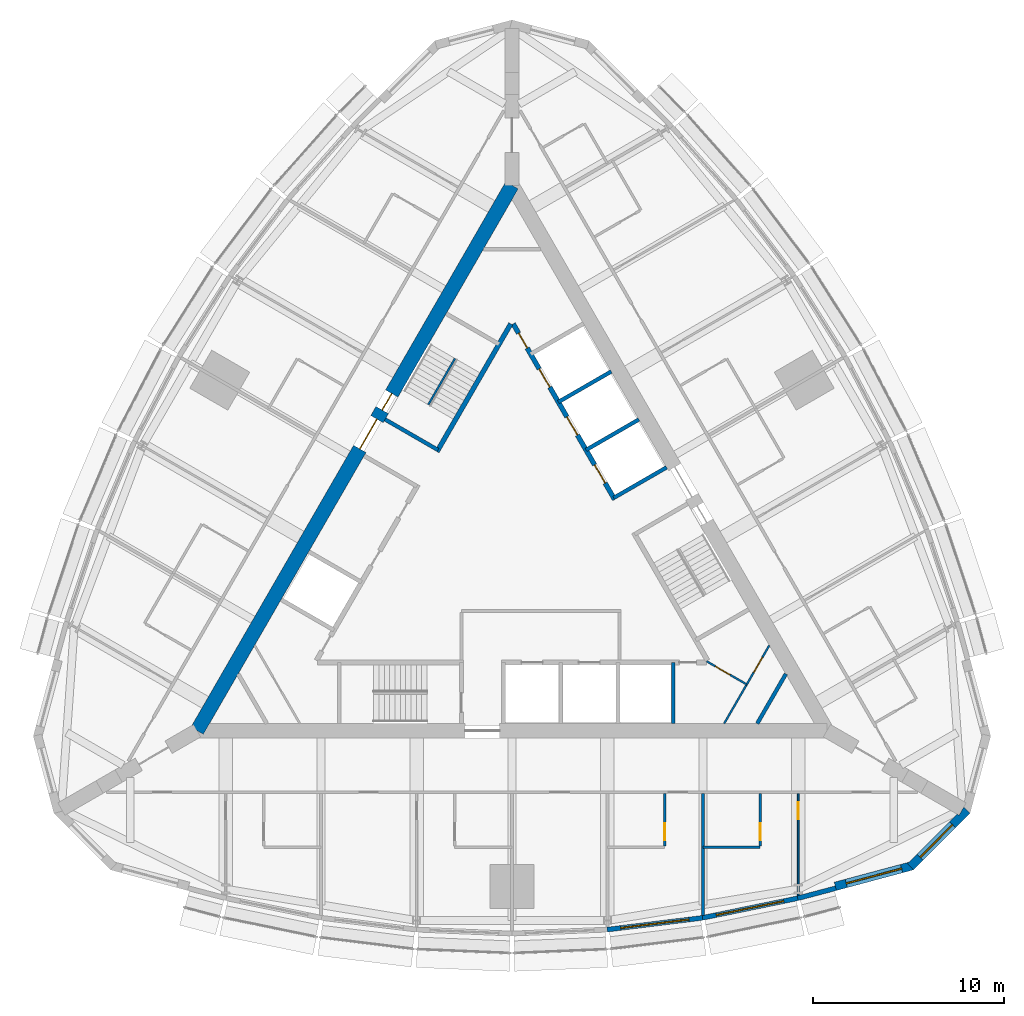
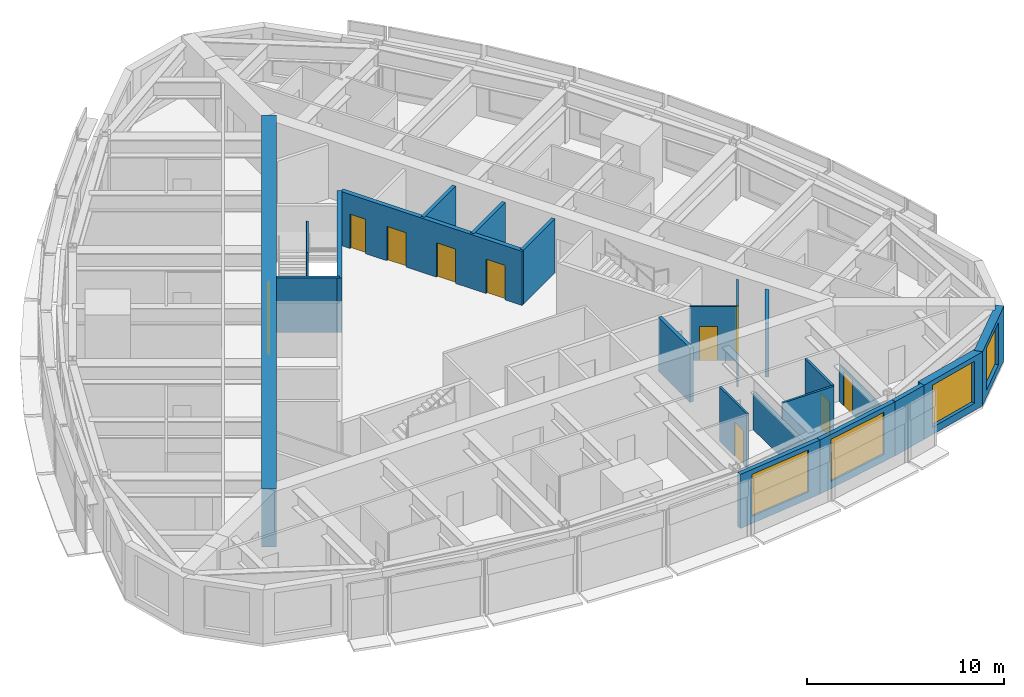
# One storey, part 11 of 15: 22 walls, 11 doors, 4 windows, 15 openings.
"""IFC4 building model written with IfcOpenShell, lengths in metres."""

from ifc_helpers import new_model, si_unit, direction, frame, frame_2d, origin, place, context, subcontext, project, spatial, polyline, rectangle, outline, extrude, material, layer, layer_set, type_object, element, fill, save


model = new_model("IFC4")

# Units and contexts
model_context = context("Model", 3, precision=1e-05, world=origin(), true_north=direction((0.0, 1.0)))
body_context = subcontext(model_context, "Body", "Model", "MODEL_VIEW")
ifc_project = project(units=[si_unit("LENGTHUNIT", "METRE"), si_unit("AREAUNIT", "SQUARE_METRE"), si_unit("VOLUMEUNIT", "CUBIC_METRE"), si_unit("PLANEANGLEUNIT", "RADIAN"), si_unit("MASSUNIT", "GRAM", prefix="KILO")], contexts=[model_context])

# Site, building, storey
site_placement = place(None, origin())
site = spatial("IfcSite", under=ifc_project, at=site_placement, CompositionType="ELEMENT")
building_placement = place(site_placement, origin())
building = spatial("IfcBuilding", under=site, at=building_placement, Name="Trikona Tower", CompositionType="ELEMENT")
storey_placement = place(building_placement, frame((0.0, 0.0, 229.699951171875)))
storey = spatial("IfcBuildingStorey", under=building, at=storey_placement, Name="L61", CompositionType="ELEMENT", Elevation=229.699951171875)

# Wall, opening, door
ifc_material_1 = material(Name="Metal stud and cement board", Category="gypsum")
ifc_layer_1 = layer(ifc_material_1, 0.1201171875)
ifc_layer_set_1 = layer_set([ifc_layer_1], Name="Bathroom wall 120")
wall_type_1 = type_object("IfcWallType", Name="Bathroom wall 120", PredefinedType="PLUMBINGWALL", material=ifc_layer_set_1)
wall_1_placement = place(storey_placement, frame((8.0, -12.826416015625, 0.0), z_axis=(0.0, 0.0, 1.0), x_axis=(0.0, -1.0, 0.0)))
wall_1 = element("IfcWall", 1, at=wall_1_placement, inside=storey, type_object=wall_type_1, Name="Bathroom wall 6103", PredefinedType="PLUMBINGWALL", context=body_context, shape_type="SweptSolid", body=[
    extrude(rectangle(XDim=2.739990234375, YDim=0.1201171875, at=frame_2d((1.3701171875, 0.0))), origin(), (0.0, 0.0, 1.0), 3.35009765625),
])
opening_1_placement = place(wall_1_placement, frame((1.550048828125, 0.0, 0.0)))
opening_1 = element("IfcOpeningElement", 2, at=opening_1_placement, cuts=wall_1, Name="Opening D2", PredefinedType="OPENING", context=body_context, shape_type="SweptSolid", body=[
    extrude(rectangle(XDim=0.89990234375, YDim=2.1298828125, at=frame_2d((0.449951171875, 1.06494140625))), frame((0.0, 0.070068359375, 0.0), z_axis=(0.0, -1.0, 0.0), x_axis=(1.0, 0.0, 0.0)), (0.0, 0.0, 1.0), 0.14013671875),
])
ifc_material_2 = material(Name="Steel door frame with solid-core timber leaf", Category="steel")
door_type_1 = type_object("IfcDoorType", Name="Bathroom door 900x2130", OperationType="SLIDING_TO_LEFT", PredefinedType="DOOR", material=ifc_material_2)
door_1_placement = place(opening_1_placement, origin())
door_1 = element("IfcDoor", 3, at=door_1_placement, inside=storey, type_object=door_type_1, Name="Bathroom door 6103", OperationType="SLIDING_TO_LEFT", OverallHeight=2.1298828125, OverallWidth=0.89990234375, PredefinedType="DOOR", context=body_context, shape_type="SweptSolid", body=[
    extrude(rectangle(XDim=0.89990234375, YDim=2.1298828125, at=frame_2d((0.449951171875, 1.06494140625))), frame((0.0, 0.02490234375, 0.0), z_axis=(0.0, -1.0, 0.0), x_axis=(1.0, 0.0, 0.0)), (0.0, 0.0, 1.0), 0.050048828125),
])
fill(opening_1, door_1)

# Wall
wall_2_placement = place(storey_placement, frame((10.0, -15.626220703125, 0.0), z_axis=(0.0, 0.0, 1.0), x_axis=(1.0, 0.0, 0.0)))
element("IfcWall", 4, at=wall_2_placement, inside=storey, type_object=wall_type_1, Name="Bathroom wall 6104.1", PredefinedType="PLUMBINGWALL", context=body_context, shape_type="SweptSolid", body=[
    extrude(rectangle(XDim=3.0, YDim=0.1201171875, at=frame_2d((1.5, 0.0))), origin(), (0.0, 0.0, 1.0), 3.35009765625),
])

# Wall, opening, door
wall_3_placement = place(storey_placement, frame((13.0, -12.826416015625, 0.0), z_axis=(0.0, 0.0, 1.0), x_axis=(0.0, -1.0, 0.0)))
wall_3 = element("IfcWall", 5, at=wall_3_placement, inside=storey, type_object=wall_type_1, Name="Bathroom wall 6104.1", PredefinedType="PLUMBINGWALL", context=body_context, shape_type="SweptSolid", body=[
    extrude(rectangle(XDim=2.739990234375, YDim=0.1201171875, at=frame_2d((1.3701171875, 0.0))), origin(), (0.0, 0.0, 1.0), 3.35009765625),
])
opening_2_placement = place(wall_3_placement, frame((1.550048828125, 0.0, 0.0)))
opening_2 = element("IfcOpeningElement", 6, at=opening_2_placement, cuts=wall_3, Name="Opening D2", PredefinedType="OPENING", context=body_context, shape_type="SweptSolid", body=[
    extrude(rectangle(XDim=0.89990234375, YDim=2.1298828125, at=frame_2d((0.449951171875, 1.06494140625))), frame((0.0, 0.070068359375, 0.0), z_axis=(0.0, -1.0, 0.0), x_axis=(1.0, 0.0, 0.0)), (0.0, 0.0, 1.0), 0.14013671875),
])
door_2_placement = place(opening_2_placement, origin())
door_2 = element("IfcDoor", 7, at=door_2_placement, inside=storey, type_object=door_type_1, Name="Bathroom door 6104.1", OperationType="SLIDING_TO_LEFT", OverallHeight=2.1298828125, OverallWidth=0.89990234375, PredefinedType="DOOR", context=body_context, shape_type="SweptSolid", body=[
    extrude(rectangle(XDim=0.89990234375, YDim=2.1298828125, at=frame_2d((0.449951171875, 1.06494140625))), frame((0.0, 0.02490234375, 0.0), z_axis=(0.0, -1.0, 0.0), x_axis=(1.0, 0.0, 0.0)), (0.0, 0.0, 1.0), 0.050048828125),
])
fill(opening_2, door_2)

# Wall, opening, window
ifc_material_3 = material(Name="Brick-faced precast concrete", Category="masonry")
ifc_layer_2 = layer(ifc_material_3, 0.449951171875)
ifc_layer_set_2 = layer_set([ifc_layer_2], Name="Brick-faced corner wall 450")
wall_type_2 = type_object("IfcWallType", Name="Brick-faced corner wall 450", PredefinedType="SOLIDWALL", material=ifc_layer_set_2)
wall_4_placement = place(storey_placement, frame((16.94189453125, -17.6806640625, 0.0), z_axis=(0.0, 0.0, 1.0), x_axis=(0.965920442324, 0.258839137498, 0.0)))
wall_4 = element("IfcWall", 8, at=wall_4_placement, inside=storey, type_object=wall_type_2, Name="External wall L61-08", PredefinedType="SOLIDWALL", context=body_context, shape_type="SweptSolid", body=[
    extrude(rectangle(XDim=4.18408203125, YDim=0.449951171875, at=frame_2d((2.092041015625, 0.0))), origin(), (0.0, 0.0, 1.0), 3.35009765625),
])
opening_3_placement = place(wall_4_placement, frame((0.592041015625, 0.0, 0.449951171875)))
opening_3 = element("IfcOpeningElement", 9, at=opening_3_placement, cuts=wall_4, Name="Opening W3026", PredefinedType="OPENING", context=body_context, shape_type="SweptSolid", body=[
    extrude(rectangle(XDim=3.0, YDim=2.60009765625, at=frame_2d((1.5, 1.300048828125))), frame((0.0, 0.23486328125, 0.0), z_axis=(0.0, -1.0, 0.0), x_axis=(1.0, 0.0, 0.0)), (0.0, 0.0, 1.0), 0.469970703125),
])
ifc_material_4 = material(Name="Aluminium-framed double glazing", Category="aluminium")
window_type_1 = type_object("IfcWindowType", Name="Window 3000x2600", PartitioningType="SINGLE_PANEL", PredefinedType="WINDOW", material=ifc_material_4)
window_1_placement = place(opening_3_placement, origin())
window_1 = element("IfcWindow", 10, at=window_1_placement, inside=storey, type_object=window_type_1, Name="Window 6104", OverallHeight=2.60009765625, OverallWidth=3.0, PartitioningType="SINGLE_PANEL", PredefinedType="WINDOW", context=body_context, shape_type="SweptSolid", body=[
    extrude(rectangle(XDim=3.0, YDim=2.60009765625, at=frame_2d((1.5, 1.300048828125))), frame((0.0, 0.030029296875, 0.0), z_axis=(0.0, -1.0, 0.0), x_axis=(1.0, 0.0, 0.0)), (0.0, 0.0, 1.0), 0.06005859375),
])
fill(opening_3, window_1)

wall_5_placement = place(storey_placement, frame((20.88232421875, -16.656005859375, 0.0), z_axis=(0.0, 0.0, 1.0), x_axis=(0.707077605902, 0.707135955267, 0.0)))
wall_5 = element("IfcWall", 11, at=wall_5_placement, inside=storey, type_object=wall_type_2, Name="External wall L61-09", PredefinedType="SOLIDWALL", context=body_context, shape_type="SweptSolid", body=[
    extrude(outline(polyline([(4.18408203125, 0.22509765625), (4.125244140625, 0.22509765625), (3.705322265625, 0.112548828125), (3.67529296875, 0.22509765625), (0.0, 0.22509765625), (0.0, -0.22509765625), (4.18408203125, -0.22509765625), (4.18408203125, 0.22509765625)])), origin(), (0.0, 0.0, 1.0), 3.35009765625),
])
opening_4_placement = place(wall_5_placement, frame((0.712646484375, 0.0, 0.449951171875)))
opening_4 = element("IfcOpeningElement", 12, at=opening_4_placement, cuts=wall_5, Name="Opening W2426", PredefinedType="OPENING", context=body_context, shape_type="SweptSolid", body=[
    extrude(rectangle(XDim=2.39990234375, YDim=2.60009765625, at=frame_2d((1.199951171875, 1.300048828125))), frame((0.0, 0.23486328125, 0.0), z_axis=(0.0, -1.0, 0.0), x_axis=(1.0, 0.0, 0.0)), (0.0, 0.0, 1.0), 0.469970703125),
])
ifc_material_5 = material(Name="Aluminium-framed double glazing", Category="aluminium")
window_type_2 = type_object("IfcWindowType", Name="Window 2400x2600", PartitioningType="SINGLE_PANEL", PredefinedType="WINDOW", material=ifc_material_5)
window_2_placement = place(opening_4_placement, origin())
window_2 = element("IfcWindow", 13, at=window_2_placement, inside=storey, type_object=window_type_2, Name="Window 6104", OverallHeight=2.60009765625, OverallWidth=2.39990234375, PartitioningType="SINGLE_PANEL", PredefinedType="WINDOW", context=body_context, shape_type="SweptSolid", body=[
    extrude(rectangle(XDim=2.39990234375, YDim=2.60009765625, at=frame_2d((1.199951171875, 1.300048828125))), frame((0.0, 0.030029296875, 0.0), z_axis=(0.0, -1.0, 0.0), x_axis=(1.0, 0.0, 0.0)), (0.0, 0.0, 1.0), 0.06005859375),
])
fill(opening_4, window_2)

# Wall, openings, doors
ifc_material_6 = material(Name="Concrete f'c 10000 psi", Category="concrete")
ifc_layer_3 = layer(ifc_material_6, 0.75)
ifc_layer_set_3 = layer_set([ifc_layer_3], Name="Core wall 750")
wall_type_3 = type_object("IfcWallType", Name="Core wall 750", PredefinedType="SHEAR", material=ifc_layer_set_3)
wall_6_placement = place(storey_placement, frame((0.0, 19.052490234375, 0.0), z_axis=(0.0, 0.0, 1.0), x_axis=(-0.499999749417, -0.866025548458, 0.0)))
wall_6 = element("IfcWall", 14, at=wall_6_placement, inside=storey, type_object=wall_type_3, Name="Core wall C", PredefinedType="SHEAR", context=body_context, shape_type="SweptSolid", body=[
    extrude(rectangle(XDim=33.0, YDim=0.75, at=frame_2d((16.5, 0.0))), origin(), (0.0, 0.0, 1.0), 3.60009765625),
])
opening_5_placement = place(wall_6_placement, frame((14.14990234375, 0.0, 0.0)))
opening_5 = element("IfcOpeningElement", 15, at=opening_5_placement, cuts=wall_6, Name="Opening D6", PredefinedType="OPENING", context=body_context, shape_type="SweptSolid", body=[
    extrude(rectangle(XDim=1.800048828125, YDim=2.1298828125, at=frame_2d((0.89990234375, 1.06494140625))), frame((0.0, 0.385009765625, 0.0), z_axis=(0.0, -1.0, 0.0), x_axis=(1.0, 0.0, 0.0)), (0.0, 0.0, 1.0), 0.77001953125),
])
opening_6_placement = place(wall_6_placement, frame((12.60009765625, 0.0, 0.0)))
opening_6 = element("IfcOpeningElement", 16, at=opening_6_placement, cuts=wall_6, Name="Opening D5", PredefinedType="OPENING", context=body_context, shape_type="SweptSolid", body=[
    extrude(rectangle(XDim=1.0, YDim=2.1298828125, at=frame_2d((0.5, 1.06494140625))), frame((0.0, 0.385009765625, 0.0), z_axis=(0.0, -1.0, 0.0), x_axis=(1.0, 0.0, 0.0)), (0.0, 0.0, 1.0), 0.77001953125),
])
ifc_material_7 = material(Name="Hollow metal door and frame", Category="steel")
door_type_2 = type_object("IfcDoorType", Name="Lobby door pair 1800x2130", OperationType="DOUBLE_DOOR_SINGLE_SWING", PredefinedType="DOOR", material=ifc_material_7)
door_3_placement = place(opening_5_placement, origin())
door_3 = element("IfcDoor", 17, at=door_3_placement, inside=storey, type_object=door_type_2, Name="Lift lobby door C", OperationType="DOUBLE_DOOR_SINGLE_SWING", OverallHeight=2.1298828125, OverallWidth=1.800048828125, PredefinedType="DOOR", context=body_context, shape_type="SweptSolid", body=[
    extrude(rectangle(XDim=1.800048828125, YDim=2.1298828125, at=frame_2d((0.89990234375, 1.06494140625))), frame((0.0, 0.02490234375, 0.0), z_axis=(0.0, -1.0, 0.0), x_axis=(1.0, 0.0, 0.0)), (0.0, 0.0, 1.0), 0.050048828125),
])
fill(opening_5, door_3)
ifc_material_8 = material(Name="Hollow metal door and frame", Category="steel")
door_type_3 = type_object("IfcDoorType", Name="Stair door 1000x2130", OperationType="SINGLE_SWING_LEFT", PredefinedType="DOOR", material=ifc_material_8)
door_4_placement = place(opening_6_placement, origin())
door_4 = element("IfcDoor", 18, at=door_4_placement, inside=storey, type_object=door_type_3, Name="Stair C door", OperationType="SINGLE_SWING_RIGHT", OverallHeight=2.1298828125, OverallWidth=1.0, PredefinedType="DOOR", context=body_context, shape_type="SweptSolid", body=[
    extrude(rectangle(XDim=1.0, YDim=2.1298828125, at=frame_2d((0.5, 1.06494140625))), frame((0.0, 0.02490234375, 0.0), z_axis=(0.0, -1.0, 0.0), x_axis=(1.0, 0.0, 0.0)), (0.0, 0.0, 1.0), 0.050048828125),
])
fill(opening_6, door_4)

ifc_material_9 = material(Name="Concrete f'c 8000 psi", Category="concrete")
ifc_layer_4 = layer(ifc_material_9, 0.25)
ifc_layer_set_4 = layer_set([ifc_layer_4], Name="Hub wall 250")
wall_type_4 = type_object("IfcWallType", Name="Hub wall 250", PredefinedType="SOLIDWALL", material=ifc_layer_set_4)
wall_7_placement = place(storey_placement, frame((5.37890625, 2.5859375, 0.0), z_axis=(0.0, 0.0, 1.0), x_axis=(-0.500001375892, 0.866024609411, 0.0)))
wall_7 = element("IfcWall", 19, at=wall_7_placement, inside=storey, type_object=wall_type_4, Name="Lift lobby wall B2", PredefinedType="SOLIDWALL", context=body_context, shape_type="SweptSolid", body=[
    extrude(rectangle(XDim=10.6328125, YDim=0.25, at=frame_2d((5.31640625, 0.0))), origin(), (0.0, 0.0, 1.0), 3.35009765625),
])
opening_7_placement = place(wall_7_placement, frame((9.1640625, 0.0, 0.0)))
opening_7 = element("IfcOpeningElement", 20, at=opening_7_placement, cuts=wall_7, Name="Opening D14", PredefinedType="OPENING", context=body_context, shape_type="SweptSolid", body=[
    extrude(rectangle(XDim=0.89990234375, YDim=2.1298828125, at=frame_2d((0.449951171875, 1.06494140625))), frame((0.0, 0.135009765625, 0.0), z_axis=(0.0, -1.0, 0.0), x_axis=(1.0, 0.0, 0.0)), (0.0, 0.0, 1.0), 0.27001953125),
])
opening_8_placement = place(wall_7_placement, frame((1.0, 0.0, 0.0)))
opening_8 = element("IfcOpeningElement", 21, at=opening_8_placement, cuts=wall_7, Name="Opening LD", PredefinedType="OPENING", context=body_context, shape_type="SweptSolid", body=[
    extrude(rectangle(XDim=1.10009765625, YDim=2.1298828125, at=frame_2d((0.550048828125, 1.06494140625))), frame((0.0, 0.135009765625, 0.0), z_axis=(0.0, -1.0, 0.0), x_axis=(1.0, 0.0, 0.0)), (0.0, 0.0, 1.0), 0.27001953125),
])
opening_9_placement = place(wall_7_placement, frame((3.89990234375, 0.0, 0.0)))
opening_9 = element("IfcOpeningElement", 22, at=opening_9_placement, cuts=wall_7, Name="Opening LD", PredefinedType="OPENING", context=body_context, shape_type="SweptSolid", body=[
    extrude(rectangle(XDim=1.10009765625, YDim=2.1298828125, at=frame_2d((0.550048828125, 1.06494140625))), frame((0.0, 0.135009765625, 0.0), z_axis=(0.0, -1.0, 0.0), x_axis=(1.0, 0.0, 0.0)), (0.0, 0.0, 1.0), 0.27001953125),
])
opening_10_placement = place(wall_7_placement, frame((6.800048828125, 0.0, 0.0)))
opening_10 = element("IfcOpeningElement", 23, at=opening_10_placement, cuts=wall_7, Name="Opening LD", PredefinedType="OPENING", context=body_context, shape_type="SweptSolid", body=[
    extrude(rectangle(XDim=1.10009765625, YDim=2.1298828125, at=frame_2d((0.550048828125, 1.06494140625))), frame((0.0, 0.135009765625, 0.0), z_axis=(0.0, -1.0, 0.0), x_axis=(1.0, 0.0, 0.0)), (0.0, 0.0, 1.0), 0.27001953125),
])
ifc_material_10 = material(Name="Stainless steel lift landing door", Category="steel")
door_type_4 = type_object("IfcDoorType", Name="Lift landing door 1100x2130", OperationType="DOUBLE_DOOR_SLIDING", PredefinedType="USERDEFINED", material=ifc_material_10)
door_5_placement = place(opening_8_placement, origin())
door_5 = element("IfcDoor", 24, at=door_5_placement, inside=storey, type_object=door_type_4, Name="Lift landing door L3-1", ObjectType="LIFT LANDING DOOR", OperationType="DOUBLE_DOOR_SLIDING", OverallHeight=2.1298828125, OverallWidth=1.10009765625, PredefinedType="USERDEFINED", context=body_context, shape_type="SweptSolid", body=[
    extrude(rectangle(XDim=1.10009765625, YDim=2.1298828125, at=frame_2d((0.550048828125, 1.06494140625))), frame((0.0, 0.02490234375, 0.0), z_axis=(0.0, -1.0, 0.0), x_axis=(1.0, 0.0, 0.0)), (0.0, 0.0, 1.0), 0.050048828125),
])
fill(opening_8, door_5)
door_6_placement = place(opening_9_placement, origin())
door_6 = element("IfcDoor", 25, at=door_6_placement, inside=storey, type_object=door_type_4, Name="Lift landing door L3-2", ObjectType="LIFT LANDING DOOR", OperationType="DOUBLE_DOOR_SLIDING", OverallHeight=2.1298828125, OverallWidth=1.10009765625, PredefinedType="USERDEFINED", context=body_context, shape_type="SweptSolid", body=[
    extrude(rectangle(XDim=1.10009765625, YDim=2.1298828125, at=frame_2d((0.550048828125, 1.06494140625))), frame((0.0, 0.02490234375, 0.0), z_axis=(0.0, -1.0, 0.0), x_axis=(1.0, 0.0, 0.0)), (0.0, 0.0, 1.0), 0.050048828125),
])
fill(opening_9, door_6)
door_7_placement = place(opening_10_placement, origin())
door_7 = element("IfcDoor", 26, at=door_7_placement, inside=storey, type_object=door_type_4, Name="Lift landing door L3-3", ObjectType="LIFT LANDING DOOR", OperationType="DOUBLE_DOOR_SLIDING", OverallHeight=2.1298828125, OverallWidth=1.10009765625, PredefinedType="USERDEFINED", context=body_context, shape_type="SweptSolid", body=[
    extrude(rectangle(XDim=1.10009765625, YDim=2.1298828125, at=frame_2d((0.550048828125, 1.06494140625))), frame((0.0, 0.02490234375, 0.0), z_axis=(0.0, -1.0, 0.0), x_axis=(1.0, 0.0, 0.0)), (0.0, 0.0, 1.0), 0.050048828125),
])
fill(opening_10, door_7)
ifc_material_11 = material(Name="Hollow metal door and frame", Category="steel")
door_type_5 = type_object("IfcDoorType", Name="Service room door 900x2130", OperationType="SINGLE_SWING_LEFT", PredefinedType="DOOR", material=ifc_material_11)
door_8_placement = place(opening_7_placement, origin())
door_8 = element("IfcDoor", 27, at=door_8_placement, inside=storey, type_object=door_type_5, Name="Door Housekeeping store HKS", OperationType="SINGLE_SWING_RIGHT", OverallHeight=2.1298828125, OverallWidth=0.89990234375, PredefinedType="DOOR", context=body_context, shape_type="SweptSolid", body=[
    extrude(rectangle(XDim=0.89990234375, YDim=2.1298828125, at=frame_2d((0.449951171875, 1.06494140625))), frame((0.0, 0.02490234375, 0.0), z_axis=(0.0, -1.0, 0.0), x_axis=(1.0, 0.0, 0.0)), (0.0, 0.0, 1.0), 0.050048828125),
])
fill(opening_7, door_8)

# Wall
wall_8_placement = place(storey_placement, frame((-0.0625, 11.794189453125, 0.0), z_axis=(0.0, 0.0, 1.0), x_axis=(-0.500006680225, -0.86602154692, 0.0)))
element("IfcWall", 28, at=wall_8_placement, inside=storey, type_object=wall_type_4, Name="Lift lobby wall C1", PredefinedType="SOLIDWALL", context=body_context, shape_type="SweptSolid", body=[
    extrude(rectangle(XDim=7.73291015625, YDim=0.25, at=frame_2d((3.866455078125, 0.0))), origin(), (0.0, 0.0, 1.0), 3.35009765625),
])

# Wall, opening, window
ifc_material_12 = material(Name="Insulated precast concrete spandrel panel", Category="concrete")
ifc_layer_5 = layer(ifc_material_12, 0.25)
ifc_layer_set_5 = layer_set([ifc_layer_5], Name="Inner skin wall 250")
wall_type_5 = type_object("IfcWallType", Name="Inner skin wall 250", PredefinedType="STANDARD", material=ifc_layer_set_5)
wall_9_placement = place(storey_placement, frame((4.984619140625, -19.947998046875, 0.0), z_axis=(0.0, 0.0, 1.0), x_axis=(0.992449874964, 0.12265090984, 0.0)))
wall_9 = element("IfcWall", 29, at=wall_9_placement, inside=storey, type_object=wall_type_5, Name="External wall L61-05", PredefinedType="STANDARD", context=body_context, shape_type="SweptSolid", body=[
    extrude(rectangle(XDim=5.0380859375, YDim=0.25, at=frame_2d((2.51904296875, 0.0))), origin(), (0.0, 0.0, 1.0), 3.35009765625),
])
opening_11_placement = place(wall_9_placement, frame((0.718994140625, 0.0, 0.449951171875)))
opening_11 = element("IfcOpeningElement", 30, at=opening_11_placement, cuts=wall_9, Name="Opening W3626", PredefinedType="OPENING", context=body_context, shape_type="SweptSolid", body=[
    extrude(rectangle(XDim=3.60009765625, YDim=2.60009765625, at=frame_2d((1.800048828125, 1.300048828125))), frame((0.0, 0.135009765625, 0.0), z_axis=(0.0, -1.0, 0.0), x_axis=(1.0, 0.0, 0.0)), (0.0, 0.0, 1.0), 0.27001953125),
])
ifc_material_13 = material(Name="Aluminium-framed double glazing", Category="aluminium")
window_type_3 = type_object("IfcWindowType", Name="Window 3600x2600", PartitioningType="SINGLE_PANEL", PredefinedType="WINDOW", material=ifc_material_13)
window_3_placement = place(opening_11_placement, origin())
window_3 = element("IfcWindow", 31, at=window_3_placement, inside=storey, type_object=window_type_3, Name="Window 6103", OverallHeight=2.60009765625, OverallWidth=3.60009765625, PartitioningType="SINGLE_PANEL", PredefinedType="WINDOW", context=body_context, shape_type="SweptSolid", body=[
    extrude(rectangle(XDim=3.60009765625, YDim=2.60009765625, at=frame_2d((1.800048828125, 1.300048828125))), frame((0.0, 0.030029296875, 0.0), z_axis=(0.0, -1.0, 0.0), x_axis=(1.0, 0.0, 0.0)), (0.0, 0.0, 1.0), 0.06005859375),
])
fill(opening_11, window_3)

wall_10_placement = place(storey_placement, frame((9.974853515625, -19.331787109375, 0.0), z_axis=(0.0, 0.0, 1.0), x_axis=(0.979461488189, 0.201631329795, 0.0)))
wall_10 = element("IfcWall", 32, at=wall_10_placement, inside=storey, type_object=wall_type_5, Name="External wall L61-06", PredefinedType="STANDARD", context=body_context, shape_type="SweptSolid", body=[
    extrude(rectangle(XDim=5.104736328125, YDim=0.25, at=frame_2d((2.55224609375, 0.0))), origin(), (0.0, 0.0, 1.0), 3.35009765625),
])
opening_12_placement = place(wall_10_placement, frame((0.75244140625, 0.0, 0.449951171875)))
opening_12 = element("IfcOpeningElement", 33, at=opening_12_placement, cuts=wall_10, Name="Opening W3626", PredefinedType="OPENING", context=body_context, shape_type="SweptSolid", body=[
    extrude(rectangle(XDim=3.60009765625, YDim=2.60009765625, at=frame_2d((1.800048828125, 1.300048828125))), frame((0.0, 0.135009765625, 0.0), z_axis=(0.0, -1.0, 0.0), x_axis=(1.0, 0.0, 0.0)), (0.0, 0.0, 1.0), 0.27001953125),
])
window_4_placement = place(opening_12_placement, origin())
window_4 = element("IfcWindow", 34, at=window_4_placement, inside=storey, type_object=window_type_3, Name="Window 6104.1", OverallHeight=2.60009765625, OverallWidth=3.60009765625, PartitioningType="SINGLE_PANEL", PredefinedType="WINDOW", context=body_context, shape_type="SweptSolid", body=[
    extrude(rectangle(XDim=3.60009765625, YDim=2.60009765625, at=frame_2d((1.800048828125, 1.300048828125))), frame((0.0, 0.030029296875, 0.0), z_axis=(0.0, -1.0, 0.0), x_axis=(1.0, 0.0, 0.0)), (0.0, 0.0, 1.0), 0.06005859375),
])
fill(opening_12, window_4)

# Walls
wall_11_placement = place(storey_placement, frame((14.968017578125, -18.303955078125, 0.0), z_axis=(0.0, 0.0, 1.0), x_axis=(0.967010286052, 0.254737328772, 0.0)))
element("IfcWall", 35, at=wall_11_placement, inside=storey, type_object=wall_type_5, Name="External wall L61-07", PredefinedType="STANDARD", context=body_context, shape_type="SweptSolid", body=[
    extrude(rectangle(XDim=2.068115234375, YDim=0.25, at=frame_2d((1.0341796875, 0.0))), origin(), (0.0, 0.0, 1.0), 3.35009765625),
])
ifc_material_14 = material(Name="Metal stud and gypsum board, 1-hour acoustic", Category="gypsum")
ifc_layer_6 = layer(ifc_material_14, 0.14990234375)
ifc_layer_set_6 = layer_set([ifc_layer_6], Name="Party wall 150")
wall_type_6 = type_object("IfcWallType", Name="Party wall 150", PredefinedType="PARTITIONING", material=ifc_layer_set_6)
wall_12_placement = place(storey_placement, frame((10.0, -12.826416015625, 0.0), z_axis=(0.0, 0.0, 1.0), x_axis=(0.0, -1.0, 0.0)))
element("IfcWall", 36, at=wall_12_placement, inside=storey, type_object=wall_type_6, Name="Partition L61 F1 u10", PredefinedType="PARTITIONING", context=body_context, shape_type="SweptSolid", body=[
    extrude(rectangle(XDim=6.372802734375, YDim=0.14990234375, at=frame_2d((3.1865234375, 0.0))), origin(), (0.0, 0.0, 1.0), 2.30859375),
])
ifc_material_15 = material(Name="Concrete f'c 8000 psi", Category="concrete")
ifc_layer_7 = layer(ifc_material_15, 0.199951171875)
ifc_layer_set_7 = layer_set([ifc_layer_7], Name="Shaft wall 200")
wall_type_7 = type_object("IfcWallType", Name="Shaft wall 200", PredefinedType="SOLIDWALL", material=ifc_layer_set_7)
wall_13_placement = place(storey_placement, frame((8.449951171875, -5.951416015625, 0.0), z_axis=(0.0, 0.0, 1.0), x_axis=(0.0, -1.0, 0.0)))
element("IfcWall", 37, at=wall_13_placement, inside=storey, type_object=wall_type_7, Name="Shaft wall A6", PredefinedType="SOLIDWALL", context=body_context, shape_type="SweptSolid", body=[
    extrude(rectangle(XDim=3.199951171875, YDim=0.199951171875, at=frame_2d((1.60009765625, 0.0))), origin(), (0.0, 0.0, 1.0), 3.35009765625),
])
wall_14_placement = place(storey_placement, frame((5.3291015625, 2.672607421875, 0.0), z_axis=(0.0, 0.0, 1.0), x_axis=(0.866022944154, 0.50000426018, 0.0)))
element("IfcWall", 38, at=wall_14_placement, inside=storey, type_object=wall_type_7, Name="Shaft wall B3", PredefinedType="SOLIDWALL", context=body_context, shape_type="SweptSolid", body=[
    extrude(rectangle(XDim=3.19970703125, YDim=0.199951171875, at=frame_2d((1.599853515625, 0.0))), origin(), (0.0, 0.0, 1.0), 3.35009765625),
])
for number, where, z_axis, x_axis, name in (
    (39, (3.87890625, 5.18408203125, 0.0), (0.0, 0.0, 1.0), (0.866042017984, 0.499971222258, 0.0), "Shaft wall B4"),
    (40, (2.428955078125, 7.695556640625, 0.0), (0.0, 0.0, 1.0), (0.866042017984, 0.499971222258, 0.0), "Shaft wall B5"),
):
    element("IfcWall", number, at=place(storey_placement, frame(where, z_axis=z_axis, x_axis=x_axis)), inside=storey, type_object=wall_type_7, Name=name, PredefinedType="SOLIDWALL", context=body_context, shape_type="SweptSolid", body=[
        extrude(rectangle(XDim=3.199951171875, YDim=0.199951171875, at=frame_2d((1.60009765625, 0.0))), origin(), (0.0, 0.0, 1.0), 3.35009765625),
    ])
wall_15_placement = place(storey_placement, frame((14.349365234375, -6.55126953125, 0.0), z_axis=(0.0, 0.0, 1.0), x_axis=(-0.499952404951, -0.866052881055, 0.0)))
element("IfcWall", 41, at=wall_15_placement, inside=storey, type_object=wall_type_7, Name="Riser wall L61-RS1", PredefinedType="SOLIDWALL", context=body_context, shape_type="SweptSolid", body=[
    extrude(rectangle(XDim=3.002197265625, YDim=0.199951171875, at=frame_2d((1.5009765625, 0.0))), origin(), (0.0, 0.0, 1.0), 3.35009765625),
])
ifc_material_16 = material(Name="Concrete f'c 8000 psi", Category="concrete")
ifc_layer_8 = layer(ifc_material_16, 0.199951171875)
ifc_layer_set_8 = layer_set([ifc_layer_8], Name="Shaft wall 200 load-bearing")
wall_type_8 = type_object("IfcWallType", Name="Shaft wall 200 load-bearing", PredefinedType="SOLIDWALL", material=ifc_layer_set_8)
wall_16_placement = place(storey_placement, frame((-3.87890625, 5.18408203125, 0.0), z_axis=(0.0, 0.0, 1.0), x_axis=(-0.866042017984, 0.499971222258, 0.0)))
element("IfcWall", 42, at=wall_16_placement, inside=storey, type_object=wall_type_8, Name="Shaft wall C2", PredefinedType="SOLIDWALL", context=body_context, shape_type="SweptSolid", body=[
    extrude(rectangle(XDim=3.199951171875, YDim=0.199951171875, at=frame_2d((1.60009765625, 0.0))), origin(), (0.0, 0.0, 1.0), 3.35009765625),
])
ifc_material_17 = material(Name="Concrete f'c 5000 psi", Category="concrete")
ifc_layer_9 = layer(ifc_material_17, 0.10009765625)
ifc_layer_set_9 = layer_set([ifc_layer_9], Name="Stair spine wall 100")
wall_type_9 = type_object("IfcWallType", Name="Stair spine wall 100", PredefinedType="SOLIDWALL", material=ifc_layer_set_9)
wall_17_placement = place(storey_placement, frame((-2.98779296875, 9.9775390625, 0.0), z_axis=(0.0, 0.0, 1.0), x_axis=(-0.499992232847, -0.866029888106, 0.0)))
element("IfcWall", 43, at=wall_17_placement, inside=storey, type_object=wall_type_9, Name="Stair C spine wall L61", PredefinedType="SOLIDWALL", context=body_context, shape_type="SweptSolid", body=[
    extrude(rectangle(XDim=2.7939453125, YDim=0.10009765625, at=frame_2d((1.39697265625, 0.0))), origin(), (0.0, 0.0, 1.0), 3.60009765625),
])

# Wall, opening, door
ifc_material_18 = material(Name="Metal stud and gypsum board, acoustic", Category="gypsum")
ifc_layer_10 = layer(ifc_material_18, 0.10009765625)
ifc_layer_set_10 = layer_set([ifc_layer_10], Name="Suite partition 100")
wall_type_10 = type_object("IfcWallType", Name="Suite partition 100", PredefinedType="PARTITIONING", material=ifc_layer_set_10)
wall_18_placement = place(storey_placement, frame((15.0, -12.826416015625, 0.0), z_axis=(0.0, 0.0, 1.0), x_axis=(0.0, -1.0, 0.0)))
wall_18 = element("IfcWall", 44, at=wall_18_placement, inside=storey, type_object=wall_type_10, Name="Suite partition L61 F1 u15", PredefinedType="PARTITIONING", context=body_context, shape_type="SweptSolid", body=[
    extrude(rectangle(XDim=5.340087890625, YDim=0.10009765625, at=frame_2d((2.669921875, 0.0))), origin(), (0.0, 0.0, 1.0), 2.25),
])
opening_13_placement = place(wall_18_placement, frame((0.449951171875, 0.0, 0.0)))
opening_13 = element("IfcOpeningElement", 45, at=opening_13_placement, cuts=wall_18, Name="Opening D13", PredefinedType="OPENING", context=body_context, shape_type="SweptSolid", body=[
    extrude(rectangle(XDim=0.89990234375, YDim=2.1298828125, at=frame_2d((0.449951171875, 1.06494140625))), frame((0.0, 0.06005859375, 0.0), z_axis=(0.0, -1.0, 0.0), x_axis=(1.0, 0.0, 0.0)), (0.0, 0.0, 1.0), 0.1201171875),
])
ifc_material_19 = material(Name="Steel door frame with solid-core timber leaf", Category="steel")
door_type_6 = type_object("IfcDoorType", Name="Suite door 900x2130", OperationType="SINGLE_SWING_LEFT", PredefinedType="DOOR", material=ifc_material_19)
door_9_placement = place(opening_13_placement, origin())
door_9 = element("IfcDoor", 46, at=door_9_placement, inside=storey, type_object=door_type_6, Name="Suite door 6104", OperationType="SINGLE_SWING_LEFT", OverallHeight=2.1298828125, OverallWidth=0.89990234375, PredefinedType="DOOR", context=body_context, shape_type="SweptSolid", body=[
    extrude(rectangle(XDim=0.89990234375, YDim=2.1298828125, at=frame_2d((0.449951171875, 1.06494140625))), frame((0.0, 0.02490234375, 0.0), z_axis=(0.0, -1.0, 0.0), x_axis=(1.0, 0.0, 0.0)), (0.0, 0.0, 1.0), 0.050048828125),
])
fill(opening_13, door_9)

wall_19_placement = place(storey_placement, frame((13.4833984375, -5.05126953125, 0.0), z_axis=(0.0, 0.0, 1.0), x_axis=(-0.499999210213, -0.866025859768, 0.0)))
wall_19 = element("IfcWall", 47, at=wall_19_placement, inside=storey, type_object=wall_type_10, Name="Store partition L61-RS1", PredefinedType="PARTITIONING", context=body_context, shape_type="SweptSolid", body=[
    extrude(rectangle(XDim=4.734375, YDim=0.10009765625, at=frame_2d((2.3671875, 0.0))), origin(), (0.0, 0.0, 1.0), 3.35009765625),
])
opening_14_placement = place(wall_19_placement, frame((0.733642578125, 0.0, 0.0)))
opening_14 = element("IfcOpeningElement", 48, at=opening_14_placement, cuts=wall_19, Name="Opening D15", PredefinedType="OPENING", context=body_context, shape_type="SweptSolid", body=[
    extrude(rectangle(XDim=0.89990234375, YDim=2.1298828125, at=frame_2d((0.449951171875, 1.06494140625))), frame((0.0, 0.06005859375, 0.0), z_axis=(0.0, -1.0, 0.0), x_axis=(1.0, 0.0, 0.0)), (0.0, 0.0, 1.0), 0.1201171875),
])
ifc_material_20 = material(Name="Steel door frame with solid-core timber leaf", Category="steel")
door_type_7 = type_object("IfcDoorType", Name="Store door 900x2130", OperationType="SINGLE_SWING_LEFT", PredefinedType="DOOR", material=ifc_material_20)
door_10_placement = place(opening_14_placement, origin())
door_10 = element("IfcDoor", 49, at=door_10_placement, inside=storey, type_object=door_type_7, Name="Door Storage STO", OperationType="SINGLE_SWING_LEFT", OverallHeight=2.1298828125, OverallWidth=0.89990234375, PredefinedType="DOOR", context=body_context, shape_type="SweptSolid", body=[
    extrude(rectangle(XDim=0.89990234375, YDim=2.1298828125, at=frame_2d((0.449951171875, 1.06494140625))), frame((0.0, 0.02490234375, 0.0), z_axis=(0.0, -1.0, 0.0), x_axis=(1.0, 0.0, 0.0)), (0.0, 0.0, 1.0), 0.050048828125),
])
fill(opening_14, door_10)

wall_20_placement = place(storey_placement, frame((12.2998046875, -7.101318359375, 0.0), z_axis=(0.0, 0.0, 1.0), x_axis=(-0.866022978719, 0.500004200313, 0.0)))
wall_20 = element("IfcWall", 50, at=wall_20_placement, inside=storey, type_object=wall_type_10, Name="Store partition L61-RS1", PredefinedType="PARTITIONING", context=body_context, shape_type="SweptSolid", body=[
    extrude(rectangle(XDim=2.42529296875, YDim=0.10009765625, at=frame_2d((1.212646484375, 0.0))), origin(), (0.0, 0.0, 1.0), 3.35009765625),
])
opening_15_placement = place(wall_20_placement, frame((1.005126953125, 0.0, 0.0)))
opening_15 = element("IfcOpeningElement", 51, at=opening_15_placement, cuts=wall_20, Name="Opening D15", PredefinedType="OPENING", context=body_context, shape_type="SweptSolid", body=[
    extrude(rectangle(XDim=0.89990234375, YDim=2.1298828125, at=frame_2d((0.449951171875, 1.06494140625))), frame((0.0, 0.06005859375, 0.0), z_axis=(0.0, -1.0, 0.0), x_axis=(1.0, 0.0, 0.0)), (0.0, 0.0, 1.0), 0.1201171875),
])
door_11_placement = place(opening_15_placement, origin())
door_11 = element("IfcDoor", 52, at=door_11_placement, inside=storey, type_object=door_type_7, Name="Door Luggage store LUG", OperationType="SINGLE_SWING_RIGHT", OverallHeight=2.1298828125, OverallWidth=0.89990234375, PredefinedType="DOOR", context=body_context, shape_type="SweptSolid", body=[
    extrude(rectangle(XDim=0.89990234375, YDim=2.1298828125, at=frame_2d((0.449951171875, 1.06494140625))), frame((0.0, 0.02490234375, 0.0), z_axis=(0.0, -1.0, 0.0), x_axis=(1.0, 0.0, 0.0)), (0.0, 0.0, 1.0), 0.050048828125),
])
fill(opening_15, door_11)

save(model, "model.ifc")
